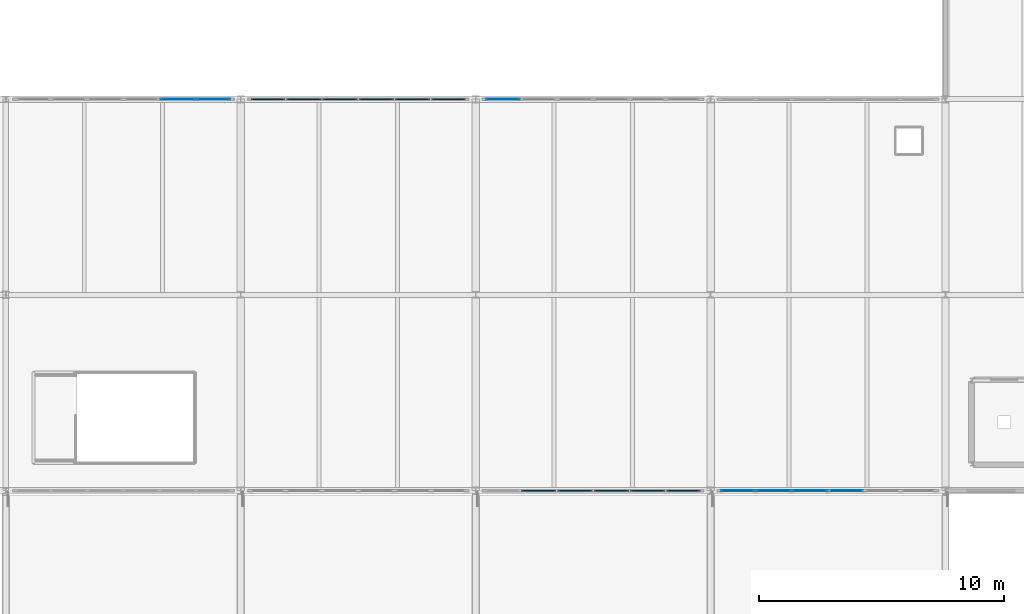
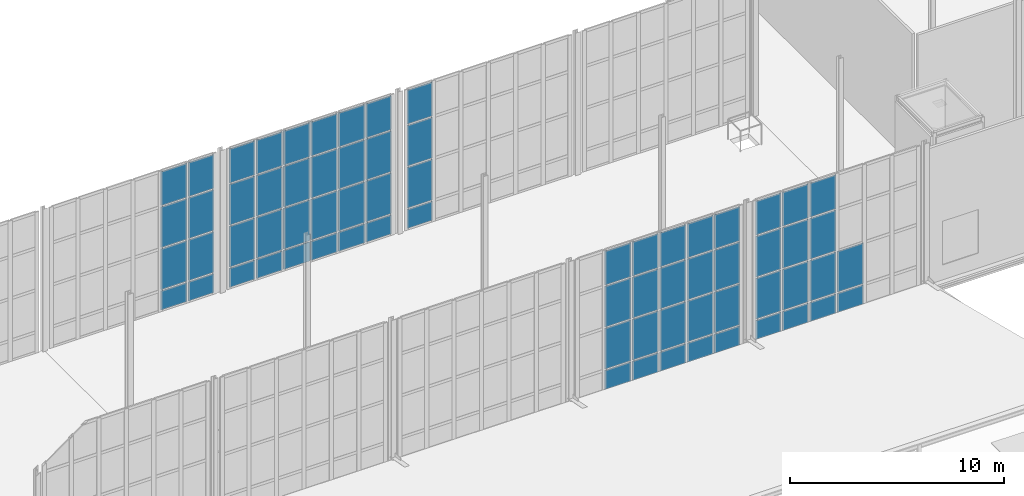
# One storey, part 53 of 73: 70 plates, 5 elements without a shape of their own.
"""IFC4 building model written with IfcOpenShell, lengths in metres."""

from ifc_helpers import new_model, si_unit, direction, frame, origin, origin_2d, place, context, subcontext, project, spatial, rectangle, extrude, material, layer, layer_set, type_object, element, aggregate, save


model = new_model("IFC4")

# Units and contexts
model_context = context("Model", 3, precision=1e-05, world=origin(), true_north=direction((0.0, 1.0)))
body_context = subcontext(model_context, "Body", "Model", "MODEL_VIEW")
ifc_project = project(units=[si_unit("LENGTHUNIT", "METRE"), si_unit("AREAUNIT", "SQUARE_METRE"), si_unit("VOLUMEUNIT", "CUBIC_METRE"), si_unit("PLANEANGLEUNIT", "RADIAN"), si_unit("MASSUNIT", "GRAM", prefix="KILO")], contexts=[model_context])

# Site, building, storey
site_placement = place(None, origin())
site = spatial("IfcSite", under=ifc_project, at=site_placement, CompositionType="ELEMENT")
building_placement = place(site_placement, origin())
building = spatial("IfcBuilding", under=site, at=building_placement, Name="Alderhovde Museum", CompositionType="ELEMENT")
storey_placement = place(building_placement, frame((0.0, 0.0, 17.39990234375)))
storey = spatial("IfcBuildingStorey", under=building, at=storey_placement, Name="L04", CompositionType="ELEMENT", Elevation=17.39990234375)

# Curtain wall, plates
ifc_material_1 = material(Name="Triple-Glazed Bronze-Anodised Curtain Wall", Category="glass")
ifc_layer_1 = layer(ifc_material_1, 0.219970703125)
ifc_layer_set_1 = layer_set([ifc_layer_1], Name="Triple-Glazed Bronze-Anodised Curtain Wall")
curtain_wall_type = type_object("IfcCurtainWallType", Name="CW-UNIT-890x805", PredefinedType="USERDEFINED", material=ifc_layer_set_1)
curtain_wall_1_placement = place(storey_placement, origin())
curtain_wall_1 = element("IfcCurtainWall", 1, at=curtain_wall_1_placement, inside=storey, type_object=curtain_wall_type, Name="L04 Unitised Curtain Wall 88", ObjectType="UNITISED CURTAIN WALL", PredefinedType="USERDEFINED")
ifc_material_2 = material(Name="Triple-Glazed Low-E Laminated Glass", Category="glass")
ifc_layer_2 = layer(ifc_material_2, 0.028076171875)
ifc_layer_set_2 = layer_set([ifc_layer_2], Name="Triple-Glazed Low-E Laminated Glass")
plate_type_1 = type_object("IfcPlateType", Name="CWP-GLAZ-28", PredefinedType="CURTAIN_PANEL", material=ifc_layer_set_2)
plate_1_placement = place(storey_placement, frame((106.71044921875, 72.0, 0.0751953125), z_axis=(0.0, 0.0, 1.0), x_axis=(1.0, 0.0, 0.0)))
plate_1 = element("IfcPlate", 2, at=plate_1_placement, type_object=plate_type_1, Name="CW21 panel 1.1", PredefinedType="CURTAIN_PANEL", context=body_context, shape_type="SweptSolid", body=[
    extrude(rectangle(XDim=1.370849609375, YDim=0.028076171875, at=origin_2d()), origin(), (0.0, 0.0, 1.0), 1.08740234375),
])
plate_2_placement = place(storey_placement, frame((106.71044921875, 72.0, 1.23779296875), z_axis=(0.0, 0.0, 1.0), x_axis=(1.0, 0.0, 0.0)))
plate_2 = element("IfcPlate", 3, at=plate_2_placement, type_object=plate_type_1, Name="CW21 panel 1.2", PredefinedType="CURTAIN_PANEL", context=body_context, shape_type="SweptSolid", body=[
    extrude(rectangle(XDim=1.370849609375, YDim=0.028076171875, at=origin_2d()), origin(), (0.0, 0.0, 1.0), 2.324951171875),
])
plate_3_placement = place(storey_placement, frame((106.71044921875, 72.0, 3.6376953125), z_axis=(0.0, 0.0, 1.0), x_axis=(1.0, 0.0, 0.0)))
plate_3 = element("IfcPlate", 4, at=plate_3_placement, type_object=plate_type_1, Name="CW21 panel 1.3", PredefinedType="CURTAIN_PANEL", context=body_context, shape_type="SweptSolid", body=[
    extrude(rectangle(XDim=1.370849609375, YDim=0.028076171875, at=origin_2d()), origin(), (0.0, 0.0, 1.0), 2.324951171875),
])
plate_4_placement = place(storey_placement, frame((106.71044921875, 72.0, 6.03759765625), z_axis=(0.0, 0.0, 1.0), x_axis=(1.0, 0.0, 0.0)))
plate_4 = element("IfcPlate", 5, at=plate_4_placement, type_object=plate_type_1, Name="CW21 panel 1.4", PredefinedType="CURTAIN_PANEL", context=body_context, shape_type="SweptSolid", body=[
    extrude(rectangle(XDim=1.370849609375, YDim=0.028076171875, at=origin_2d()), origin(), (0.0, 0.0, 1.0), 1.9375),
])
plate_5_placement = place(storey_placement, frame((108.175048828125, 72.0, 0.0751953125), z_axis=(0.0, 0.0, 1.0), x_axis=(1.0, 0.0, 0.0)))
plate_5 = element("IfcPlate", 6, at=plate_5_placement, type_object=plate_type_1, Name="CW21 panel 2.1", PredefinedType="CURTAIN_PANEL", context=body_context, shape_type="SweptSolid", body=[
    extrude(rectangle(XDim=1.408447265625, YDim=0.028076171875, at=origin_2d()), origin(), (0.0, 0.0, 1.0), 1.08740234375),
])
plate_6_placement = place(storey_placement, frame((108.175048828125, 72.0, 1.23779296875), z_axis=(0.0, 0.0, 1.0), x_axis=(1.0, 0.0, 0.0)))
plate_6 = element("IfcPlate", 7, at=plate_6_placement, type_object=plate_type_1, Name="CW21 panel 2.2", PredefinedType="CURTAIN_PANEL", context=body_context, shape_type="SweptSolid", body=[
    extrude(rectangle(XDim=1.408447265625, YDim=0.028076171875, at=origin_2d()), origin(), (0.0, 0.0, 1.0), 2.324951171875),
])
plate_7_placement = place(storey_placement, frame((108.175048828125, 72.0, 3.6376953125), z_axis=(0.0, 0.0, 1.0), x_axis=(1.0, 0.0, 0.0)))
plate_7 = element("IfcPlate", 8, at=plate_7_placement, type_object=plate_type_1, Name="CW21 panel 2.3", PredefinedType="CURTAIN_PANEL", context=body_context, shape_type="SweptSolid", body=[
    extrude(rectangle(XDim=1.408447265625, YDim=0.028076171875, at=origin_2d()), origin(), (0.0, 0.0, 1.0), 2.324951171875),
])
plate_8_placement = place(storey_placement, frame((108.175048828125, 72.0, 6.03759765625), z_axis=(0.0, 0.0, 1.0), x_axis=(1.0, 0.0, 0.0)))
plate_8 = element("IfcPlate", 9, at=plate_8_placement, type_object=plate_type_1, Name="CW21 panel 2.4", PredefinedType="CURTAIN_PANEL", context=body_context, shape_type="SweptSolid", body=[
    extrude(rectangle(XDim=1.408447265625, YDim=0.028076171875, at=origin_2d()), origin(), (0.0, 0.0, 1.0), 1.9375),
])
plate_9_placement = place(storey_placement, frame((109.658447265625, 72.0, 0.0751953125), z_axis=(0.0, 0.0, 1.0), x_axis=(1.0, 0.0, 0.0)))
plate_9 = element("IfcPlate", 10, at=plate_9_placement, type_object=plate_type_1, Name="CW21 panel 3.1", PredefinedType="CURTAIN_PANEL", context=body_context, shape_type="SweptSolid", body=[
    extrude(rectangle(XDim=1.408447265625, YDim=0.028076171875, at=origin_2d()), origin(), (0.0, 0.0, 1.0), 1.08740234375),
])
plate_10_placement = place(storey_placement, frame((109.658447265625, 72.0, 1.23779296875), z_axis=(0.0, 0.0, 1.0), x_axis=(1.0, 0.0, 0.0)))
plate_10 = element("IfcPlate", 11, at=plate_10_placement, type_object=plate_type_1, Name="CW21 panel 3.2", PredefinedType="CURTAIN_PANEL", context=body_context, shape_type="SweptSolid", body=[
    extrude(rectangle(XDim=1.408447265625, YDim=0.028076171875, at=origin_2d()), origin(), (0.0, 0.0, 1.0), 2.324951171875),
])
plate_11_placement = place(storey_placement, frame((109.658447265625, 72.0, 3.6376953125), z_axis=(0.0, 0.0, 1.0), x_axis=(1.0, 0.0, 0.0)))
plate_11 = element("IfcPlate", 12, at=plate_11_placement, type_object=plate_type_1, Name="CW21 panel 3.3", PredefinedType="CURTAIN_PANEL", context=body_context, shape_type="SweptSolid", body=[
    extrude(rectangle(XDim=1.408447265625, YDim=0.028076171875, at=origin_2d()), origin(), (0.0, 0.0, 1.0), 2.324951171875),
])
plate_12_placement = place(storey_placement, frame((109.658447265625, 72.0, 6.03759765625), z_axis=(0.0, 0.0, 1.0), x_axis=(1.0, 0.0, 0.0)))
plate_12 = element("IfcPlate", 13, at=plate_12_placement, type_object=plate_type_1, Name="CW21 panel 3.4", PredefinedType="CURTAIN_PANEL", context=body_context, shape_type="SweptSolid", body=[
    extrude(rectangle(XDim=1.408447265625, YDim=0.028076171875, at=origin_2d()), origin(), (0.0, 0.0, 1.0), 1.9375),
])
plate_13_placement = place(storey_placement, frame((111.1416015625, 72.0, 0.0751953125), z_axis=(0.0, 0.0, 1.0), x_axis=(1.0, 0.0, 0.0)))
plate_13 = element("IfcPlate", 14, at=plate_13_placement, type_object=plate_type_1, Name="CW21 panel 4.1", PredefinedType="CURTAIN_PANEL", context=body_context, shape_type="SweptSolid", body=[
    extrude(rectangle(XDim=1.408447265625, YDim=0.028076171875, at=origin_2d()), origin(), (0.0, 0.0, 1.0), 1.08740234375),
])
plate_14_placement = place(storey_placement, frame((111.1416015625, 72.0, 1.23779296875), z_axis=(0.0, 0.0, 1.0), x_axis=(1.0, 0.0, 0.0)))
plate_14 = element("IfcPlate", 15, at=plate_14_placement, type_object=plate_type_1, Name="CW21 panel 4.2", PredefinedType="CURTAIN_PANEL", context=body_context, shape_type="SweptSolid", body=[
    extrude(rectangle(XDim=1.408447265625, YDim=0.028076171875, at=origin_2d()), origin(), (0.0, 0.0, 1.0), 2.324951171875),
])
aggregate(curtain_wall_1, [plate_1, plate_2, plate_3, plate_4, plate_5, plate_6, plate_7, plate_8, plate_9, plate_10, plate_11, plate_12, plate_13, plate_14])

curtain_wall_2_placement = place(storey_placement, origin())
curtain_wall_2 = element("IfcCurtainWall", 16, at=curtain_wall_2_placement, inside=storey, type_object=curtain_wall_type, Name="L04 Unitised Curtain Wall 81", ObjectType="UNITISED CURTAIN WALL", PredefinedType="USERDEFINED")
ifc_material_3 = material(Name="Triple-Glazed Low-E Laminated Glass", Category="glass")
ifc_layer_3 = layer(ifc_material_3, 0.035888671875)
ifc_layer_set_3 = layer_set([ifc_layer_3], Name="Triple-Glazed Low-E Laminated Glass")
plate_type_2 = type_object("IfcPlateType", Name="CWP-GLAZ-36", PredefinedType="CURTAIN_PANEL", material=ifc_layer_set_3)
plate_15_placement = place(storey_placement, frame((83.824951171875, 88.0, 0.0751953125), z_axis=(0.0, 0.0, 1.0), x_axis=(1.0, 0.0, 0.0)))
plate_15 = element("IfcPlate", 17, at=plate_15_placement, type_object=plate_type_2, Name="CW21 panel 5.1", PredefinedType="CURTAIN_PANEL", context=body_context, shape_type="SweptSolid", body=[
    extrude(rectangle(XDim=1.408447265625, YDim=0.035888671875, at=origin_2d()), origin(), (0.0, 0.0, 1.0), 1.08740234375),
])
plate_16_placement = place(storey_placement, frame((83.824951171875, 88.0, 1.23779296875), z_axis=(0.0, 0.0, 1.0), x_axis=(1.0, 0.0, 0.0)))
plate_16 = element("IfcPlate", 18, at=plate_16_placement, type_object=plate_type_2, Name="CW21 panel 5.2", PredefinedType="CURTAIN_PANEL", context=body_context, shape_type="SweptSolid", body=[
    extrude(rectangle(XDim=1.408447265625, YDim=0.035888671875, at=origin_2d()), origin(), (0.0, 0.0, 1.0), 2.324951171875),
])
plate_17_placement = place(storey_placement, frame((83.824951171875, 88.0, 3.6376953125), z_axis=(0.0, 0.0, 1.0), x_axis=(1.0, 0.0, 0.0)))
plate_17 = element("IfcPlate", 19, at=plate_17_placement, type_object=plate_type_2, Name="CW21 panel 5.3", PredefinedType="CURTAIN_PANEL", context=body_context, shape_type="SweptSolid", body=[
    extrude(rectangle(XDim=1.408447265625, YDim=0.035888671875, at=origin_2d()), origin(), (0.0, 0.0, 1.0), 2.324951171875),
])
plate_18_placement = place(storey_placement, frame((83.824951171875, 88.0, 6.03759765625), z_axis=(0.0, 0.0, 1.0), x_axis=(1.0, 0.0, 0.0)))
plate_18 = element("IfcPlate", 20, at=plate_18_placement, type_object=plate_type_2, Name="CW21 panel 5.4", PredefinedType="CURTAIN_PANEL", context=body_context, shape_type="SweptSolid", body=[
    extrude(rectangle(XDim=1.408447265625, YDim=0.035888671875, at=origin_2d()), origin(), (0.0, 0.0, 1.0), 1.9375),
])
plate_19_placement = place(storey_placement, frame((85.28955078125, 88.0, 0.0751953125), z_axis=(0.0, 0.0, 1.0), x_axis=(1.0, 0.0, 0.0)))
plate_19 = element("IfcPlate", 21, at=plate_19_placement, type_object=plate_type_2, Name="CW21 panel 6.1", PredefinedType="CURTAIN_PANEL", context=body_context, shape_type="SweptSolid", body=[
    extrude(rectangle(XDim=1.370849609375, YDim=0.035888671875, at=origin_2d()), origin(), (0.0, 0.0, 1.0), 1.08740234375),
])
plate_20_placement = place(storey_placement, frame((85.28955078125, 88.0, 1.23779296875), z_axis=(0.0, 0.0, 1.0), x_axis=(1.0, 0.0, 0.0)))
plate_20 = element("IfcPlate", 22, at=plate_20_placement, type_object=plate_type_2, Name="CW21 panel 6.2", PredefinedType="CURTAIN_PANEL", context=body_context, shape_type="SweptSolid", body=[
    extrude(rectangle(XDim=1.370849609375, YDim=0.035888671875, at=origin_2d()), origin(), (0.0, 0.0, 1.0), 2.324951171875),
])
plate_21_placement = place(storey_placement, frame((85.28955078125, 88.0, 3.6376953125), z_axis=(0.0, 0.0, 1.0), x_axis=(1.0, 0.0, 0.0)))
plate_21 = element("IfcPlate", 23, at=plate_21_placement, type_object=plate_type_2, Name="CW21 panel 6.3", PredefinedType="CURTAIN_PANEL", context=body_context, shape_type="SweptSolid", body=[
    extrude(rectangle(XDim=1.370849609375, YDim=0.035888671875, at=origin_2d()), origin(), (0.0, 0.0, 1.0), 2.324951171875),
])
plate_22_placement = place(storey_placement, frame((85.28955078125, 88.0, 6.03759765625), z_axis=(0.0, 0.0, 1.0), x_axis=(1.0, 0.0, 0.0)))
plate_22 = element("IfcPlate", 24, at=plate_22_placement, type_object=plate_type_2, Name="CW21 panel 6.4", PredefinedType="CURTAIN_PANEL", context=body_context, shape_type="SweptSolid", body=[
    extrude(rectangle(XDim=1.370849609375, YDim=0.035888671875, at=origin_2d()), origin(), (0.0, 0.0, 1.0), 1.9375),
])
aggregate(curtain_wall_2, [plate_15, plate_16, plate_17, plate_18, plate_19, plate_20, plate_21, plate_22])

curtain_wall_3_placement = place(storey_placement, origin())
curtain_wall_3 = element("IfcCurtainWall", 25, at=curtain_wall_3_placement, inside=storey, type_object=curtain_wall_type, Name="L04 Unitised Curtain Wall 85", ObjectType="UNITISED CURTAIN WALL", PredefinedType="USERDEFINED")
plate_23_placement = place(storey_placement, frame((97.1103515625, 88.0, 0.0751953125), z_axis=(0.0, 0.0, 1.0), x_axis=(1.0, 0.0, 0.0)))
plate_23 = element("IfcPlate", 26, at=plate_23_placement, type_object=plate_type_2, Name="CW21 panel 1.1", PredefinedType="CURTAIN_PANEL", context=body_context, shape_type="SweptSolid", body=[
    extrude(rectangle(XDim=1.370849609375, YDim=0.035888671875, at=origin_2d()), origin(), (0.0, 0.0, 1.0), 1.08740234375),
])
plate_24_placement = place(storey_placement, frame((97.1103515625, 88.0, 1.23779296875), z_axis=(0.0, 0.0, 1.0), x_axis=(1.0, 0.0, 0.0)))
plate_24 = element("IfcPlate", 27, at=plate_24_placement, type_object=plate_type_2, Name="CW21 panel 1.2", PredefinedType="CURTAIN_PANEL", context=body_context, shape_type="SweptSolid", body=[
    extrude(rectangle(XDim=1.370849609375, YDim=0.035888671875, at=origin_2d()), origin(), (0.0, 0.0, 1.0), 2.324951171875),
])
plate_25_placement = place(storey_placement, frame((97.1103515625, 88.0, 3.6376953125), z_axis=(0.0, 0.0, 1.0), x_axis=(1.0, 0.0, 0.0)))
plate_25 = element("IfcPlate", 28, at=plate_25_placement, type_object=plate_type_2, Name="CW21 panel 1.3", PredefinedType="CURTAIN_PANEL", context=body_context, shape_type="SweptSolid", body=[
    extrude(rectangle(XDim=1.370849609375, YDim=0.035888671875, at=origin_2d()), origin(), (0.0, 0.0, 1.0), 2.324951171875),
])
plate_26_placement = place(storey_placement, frame((97.1103515625, 88.0, 6.03759765625), z_axis=(0.0, 0.0, 1.0), x_axis=(1.0, 0.0, 0.0)))
plate_26 = element("IfcPlate", 29, at=plate_26_placement, type_object=plate_type_2, Name="CW21 panel 1.4", PredefinedType="CURTAIN_PANEL", context=body_context, shape_type="SweptSolid", body=[
    extrude(rectangle(XDim=1.370849609375, YDim=0.035888671875, at=origin_2d()), origin(), (0.0, 0.0, 1.0), 1.9375),
])
aggregate(curtain_wall_3, [plate_23, plate_24, plate_25, plate_26])

curtain_wall_4_placement = place(storey_placement, origin())
curtain_wall_4 = element("IfcCurtainWall", 30, at=curtain_wall_4_placement, inside=storey, type_object=curtain_wall_type, Name="L04 Unitised Curtain Wall 86", ObjectType="UNITISED CURTAIN WALL", PredefinedType="USERDEFINED")
ifc_material_4 = material(Name="Triple-Glazed Low-E Laminated Glass", Category="glass")
ifc_layer_4 = layer(ifc_material_4, 0.0439453125)
ifc_layer_set_4 = layer_set([ifc_layer_4], Name="Triple-Glazed Low-E Laminated Glass")
plate_type_3 = type_object("IfcPlateType", Name="CWP-GLAZ-44", PredefinedType="CURTAIN_PANEL", material=ifc_layer_set_4)
plate_27_placement = place(storey_placement, frame((98.574951171875, 72.0, 0.0751953125), z_axis=(0.0, 0.0, 1.0), x_axis=(1.0, 0.0, 0.0)))
plate_27 = element("IfcPlate", 31, at=plate_27_placement, type_object=plate_type_3, Name="CW21 panel 2.1", PredefinedType="CURTAIN_PANEL", context=body_context, shape_type="SweptSolid", body=[
    extrude(rectangle(XDim=1.408447265625, YDim=0.0439453125, at=origin_2d()), origin(), (0.0, 0.0, 1.0), 1.08740234375),
])
plate_28_placement = place(storey_placement, frame((98.574951171875, 72.0, 1.23779296875), z_axis=(0.0, 0.0, 1.0), x_axis=(1.0, 0.0, 0.0)))
plate_28 = element("IfcPlate", 32, at=plate_28_placement, type_object=plate_type_3, Name="CW21 panel 2.2", PredefinedType="CURTAIN_PANEL", context=body_context, shape_type="SweptSolid", body=[
    extrude(rectangle(XDim=1.408447265625, YDim=0.0439453125, at=origin_2d()), origin(), (0.0, 0.0, 1.0), 2.324951171875),
])
plate_29_placement = place(storey_placement, frame((98.574951171875, 72.0, 3.6376953125), z_axis=(0.0, 0.0, 1.0), x_axis=(1.0, 0.0, 0.0)))
plate_29 = element("IfcPlate", 33, at=plate_29_placement, type_object=plate_type_3, Name="CW21 panel 2.3", PredefinedType="CURTAIN_PANEL", context=body_context, shape_type="SweptSolid", body=[
    extrude(rectangle(XDim=1.408447265625, YDim=0.0439453125, at=origin_2d()), origin(), (0.0, 0.0, 1.0), 2.324951171875),
])
plate_30_placement = place(storey_placement, frame((98.574951171875, 72.0, 6.03759765625), z_axis=(0.0, 0.0, 1.0), x_axis=(1.0, 0.0, 0.0)))
plate_30 = element("IfcPlate", 34, at=plate_30_placement, type_object=plate_type_3, Name="CW21 panel 2.4", PredefinedType="CURTAIN_PANEL", context=body_context, shape_type="SweptSolid", body=[
    extrude(rectangle(XDim=1.408447265625, YDim=0.0439453125, at=origin_2d()), origin(), (0.0, 0.0, 1.0), 1.9375),
])
plate_31_placement = place(storey_placement, frame((100.058349609375, 72.0, 0.0751953125), z_axis=(0.0, 0.0, 1.0), x_axis=(1.0, 0.0, 0.0)))
plate_31 = element("IfcPlate", 35, at=plate_31_placement, type_object=plate_type_3, Name="CW21 panel 3.1", PredefinedType="CURTAIN_PANEL", context=body_context, shape_type="SweptSolid", body=[
    extrude(rectangle(XDim=1.408447265625, YDim=0.0439453125, at=origin_2d()), origin(), (0.0, 0.0, 1.0), 1.08740234375),
])
plate_32_placement = place(storey_placement, frame((100.058349609375, 72.0, 1.23779296875), z_axis=(0.0, 0.0, 1.0), x_axis=(1.0, 0.0, 0.0)))
plate_32 = element("IfcPlate", 36, at=plate_32_placement, type_object=plate_type_3, Name="CW21 panel 3.2", PredefinedType="CURTAIN_PANEL", context=body_context, shape_type="SweptSolid", body=[
    extrude(rectangle(XDim=1.408447265625, YDim=0.0439453125, at=origin_2d()), origin(), (0.0, 0.0, 1.0), 2.324951171875),
])
plate_33_placement = place(storey_placement, frame((100.058349609375, 72.0, 3.6376953125), z_axis=(0.0, 0.0, 1.0), x_axis=(1.0, 0.0, 0.0)))
plate_33 = element("IfcPlate", 37, at=plate_33_placement, type_object=plate_type_3, Name="CW21 panel 3.3", PredefinedType="CURTAIN_PANEL", context=body_context, shape_type="SweptSolid", body=[
    extrude(rectangle(XDim=1.408447265625, YDim=0.0439453125, at=origin_2d()), origin(), (0.0, 0.0, 1.0), 2.324951171875),
])
plate_34_placement = place(storey_placement, frame((100.058349609375, 72.0, 6.03759765625), z_axis=(0.0, 0.0, 1.0), x_axis=(1.0, 0.0, 0.0)))
plate_34 = element("IfcPlate", 38, at=plate_34_placement, type_object=plate_type_3, Name="CW21 panel 3.4", PredefinedType="CURTAIN_PANEL", context=body_context, shape_type="SweptSolid", body=[
    extrude(rectangle(XDim=1.408447265625, YDim=0.0439453125, at=origin_2d()), origin(), (0.0, 0.0, 1.0), 1.9375),
])
plate_35_placement = place(storey_placement, frame((101.541748046875, 72.0, 0.0751953125), z_axis=(0.0, 0.0, 1.0), x_axis=(1.0, 0.0, 0.0)))
plate_35 = element("IfcPlate", 39, at=plate_35_placement, type_object=plate_type_3, Name="CW21 panel 4.1", PredefinedType="CURTAIN_PANEL", context=body_context, shape_type="SweptSolid", body=[
    extrude(rectangle(XDim=1.408447265625, YDim=0.0439453125, at=origin_2d()), origin(), (0.0, 0.0, 1.0), 1.08740234375),
])
plate_36_placement = place(storey_placement, frame((101.541748046875, 72.0, 1.23779296875), z_axis=(0.0, 0.0, 1.0), x_axis=(1.0, 0.0, 0.0)))
plate_36 = element("IfcPlate", 40, at=plate_36_placement, type_object=plate_type_3, Name="CW21 panel 4.2", PredefinedType="CURTAIN_PANEL", context=body_context, shape_type="SweptSolid", body=[
    extrude(rectangle(XDim=1.408447265625, YDim=0.0439453125, at=origin_2d()), origin(), (0.0, 0.0, 1.0), 2.324951171875),
])
plate_37_placement = place(storey_placement, frame((101.541748046875, 72.0, 3.6376953125), z_axis=(0.0, 0.0, 1.0), x_axis=(1.0, 0.0, 0.0)))
plate_37 = element("IfcPlate", 41, at=plate_37_placement, type_object=plate_type_3, Name="CW21 panel 4.3", PredefinedType="CURTAIN_PANEL", context=body_context, shape_type="SweptSolid", body=[
    extrude(rectangle(XDim=1.408447265625, YDim=0.0439453125, at=origin_2d()), origin(), (0.0, 0.0, 1.0), 2.324951171875),
])
plate_38_placement = place(storey_placement, frame((101.541748046875, 72.0, 6.03759765625), z_axis=(0.0, 0.0, 1.0), x_axis=(1.0, 0.0, 0.0)))
plate_38 = element("IfcPlate", 42, at=plate_38_placement, type_object=plate_type_3, Name="CW21 panel 4.4", PredefinedType="CURTAIN_PANEL", context=body_context, shape_type="SweptSolid", body=[
    extrude(rectangle(XDim=1.408447265625, YDim=0.0439453125, at=origin_2d()), origin(), (0.0, 0.0, 1.0), 1.9375),
])
plate_39_placement = place(storey_placement, frame((103.02490234375, 72.0, 0.0751953125), z_axis=(0.0, 0.0, 1.0), x_axis=(1.0, 0.0, 0.0)))
plate_39 = element("IfcPlate", 43, at=plate_39_placement, type_object=plate_type_3, Name="CW21 panel 5.1", PredefinedType="CURTAIN_PANEL", context=body_context, shape_type="SweptSolid", body=[
    extrude(rectangle(XDim=1.408447265625, YDim=0.0439453125, at=origin_2d()), origin(), (0.0, 0.0, 1.0), 1.08740234375),
])
plate_40_placement = place(storey_placement, frame((103.02490234375, 72.0, 1.23779296875), z_axis=(0.0, 0.0, 1.0), x_axis=(1.0, 0.0, 0.0)))
plate_40 = element("IfcPlate", 44, at=plate_40_placement, type_object=plate_type_3, Name="CW21 panel 5.2", PredefinedType="CURTAIN_PANEL", context=body_context, shape_type="SweptSolid", body=[
    extrude(rectangle(XDim=1.408447265625, YDim=0.0439453125, at=origin_2d()), origin(), (0.0, 0.0, 1.0), 2.324951171875),
])
plate_41_placement = place(storey_placement, frame((103.02490234375, 72.0, 3.6376953125), z_axis=(0.0, 0.0, 1.0), x_axis=(1.0, 0.0, 0.0)))
plate_41 = element("IfcPlate", 45, at=plate_41_placement, type_object=plate_type_3, Name="CW21 panel 5.3", PredefinedType="CURTAIN_PANEL", context=body_context, shape_type="SweptSolid", body=[
    extrude(rectangle(XDim=1.408447265625, YDim=0.0439453125, at=origin_2d()), origin(), (0.0, 0.0, 1.0), 2.324951171875),
])
plate_42_placement = place(storey_placement, frame((103.02490234375, 72.0, 6.03759765625), z_axis=(0.0, 0.0, 1.0), x_axis=(1.0, 0.0, 0.0)))
plate_42 = element("IfcPlate", 46, at=plate_42_placement, type_object=plate_type_3, Name="CW21 panel 5.4", PredefinedType="CURTAIN_PANEL", context=body_context, shape_type="SweptSolid", body=[
    extrude(rectangle(XDim=1.408447265625, YDim=0.0439453125, at=origin_2d()), origin(), (0.0, 0.0, 1.0), 1.9375),
])
plate_43_placement = place(storey_placement, frame((104.489501953125, 72.0, 0.0751953125), z_axis=(0.0, 0.0, 1.0), x_axis=(1.0, 0.0, 0.0)))
plate_43 = element("IfcPlate", 47, at=plate_43_placement, type_object=plate_type_3, Name="CW21 panel 6.1", PredefinedType="CURTAIN_PANEL", context=body_context, shape_type="SweptSolid", body=[
    extrude(rectangle(XDim=1.370849609375, YDim=0.0439453125, at=origin_2d()), origin(), (0.0, 0.0, 1.0), 1.08740234375),
])
plate_44_placement = place(storey_placement, frame((104.489501953125, 72.0, 1.23779296875), z_axis=(0.0, 0.0, 1.0), x_axis=(1.0, 0.0, 0.0)))
plate_44 = element("IfcPlate", 48, at=plate_44_placement, type_object=plate_type_3, Name="CW21 panel 6.2", PredefinedType="CURTAIN_PANEL", context=body_context, shape_type="SweptSolid", body=[
    extrude(rectangle(XDim=1.370849609375, YDim=0.0439453125, at=origin_2d()), origin(), (0.0, 0.0, 1.0), 2.324951171875),
])
plate_45_placement = place(storey_placement, frame((104.489501953125, 72.0, 3.6376953125), z_axis=(0.0, 0.0, 1.0), x_axis=(1.0, 0.0, 0.0)))
plate_45 = element("IfcPlate", 49, at=plate_45_placement, type_object=plate_type_3, Name="CW21 panel 6.3", PredefinedType="CURTAIN_PANEL", context=body_context, shape_type="SweptSolid", body=[
    extrude(rectangle(XDim=1.370849609375, YDim=0.0439453125, at=origin_2d()), origin(), (0.0, 0.0, 1.0), 2.324951171875),
])
plate_46_placement = place(storey_placement, frame((104.489501953125, 72.0, 6.03759765625), z_axis=(0.0, 0.0, 1.0), x_axis=(1.0, 0.0, 0.0)))
plate_46 = element("IfcPlate", 50, at=plate_46_placement, type_object=plate_type_3, Name="CW21 panel 6.4", PredefinedType="CURTAIN_PANEL", context=body_context, shape_type="SweptSolid", body=[
    extrude(rectangle(XDim=1.370849609375, YDim=0.0439453125, at=origin_2d()), origin(), (0.0, 0.0, 1.0), 1.9375),
])
aggregate(curtain_wall_4, [plate_27, plate_28, plate_29, plate_30, plate_31, plate_32, plate_33, plate_34, plate_35, plate_36, plate_37, plate_38, plate_39, plate_40, plate_41, plate_42, plate_43, plate_44, plate_45, plate_46])

curtain_wall_5_placement = place(storey_placement, origin())
curtain_wall_5 = element("IfcCurtainWall", 51, at=curtain_wall_5_placement, inside=storey, type_object=curtain_wall_type, Name="L04 Unitised Curtain Wall 83", ObjectType="UNITISED CURTAIN WALL", PredefinedType="USERDEFINED")
ifc_material_5 = material(Name="Triple-Glazed Low-E Laminated Glass", Category="glass")
ifc_layer_5 = layer(ifc_material_5, 0.052001953125)
ifc_layer_set_5 = layer_set([ifc_layer_5], Name="Triple-Glazed Low-E Laminated Glass")
plate_type_4 = type_object("IfcPlateType", Name="CWP-GLAZ-52", PredefinedType="CURTAIN_PANEL", material=ifc_layer_set_5)
plate_47_placement = place(storey_placement, frame((87.510498046875, 88.0, 0.0751953125), z_axis=(0.0, 0.0, 1.0), x_axis=(1.0, 0.0, 0.0)))
plate_47 = element("IfcPlate", 52, at=plate_47_placement, type_object=plate_type_4, Name="CW21 panel 1.1", PredefinedType="CURTAIN_PANEL", context=body_context, shape_type="SweptSolid", body=[
    extrude(rectangle(XDim=1.370849609375, YDim=0.052001953125, at=origin_2d()), origin(), (0.0, 0.0, 1.0), 1.08740234375),
])
plate_48_placement = place(storey_placement, frame((87.510498046875, 88.0, 1.23779296875), z_axis=(0.0, 0.0, 1.0), x_axis=(1.0, 0.0, 0.0)))
plate_48 = element("IfcPlate", 53, at=plate_48_placement, type_object=plate_type_4, Name="CW21 panel 1.2", PredefinedType="CURTAIN_PANEL", context=body_context, shape_type="SweptSolid", body=[
    extrude(rectangle(XDim=1.370849609375, YDim=0.052001953125, at=origin_2d()), origin(), (0.0, 0.0, 1.0), 2.324951171875),
])
plate_49_placement = place(storey_placement, frame((87.510498046875, 88.0, 3.6376953125), z_axis=(0.0, 0.0, 1.0), x_axis=(1.0, 0.0, 0.0)))
plate_49 = element("IfcPlate", 54, at=plate_49_placement, type_object=plate_type_4, Name="CW21 panel 1.3", PredefinedType="CURTAIN_PANEL", context=body_context, shape_type="SweptSolid", body=[
    extrude(rectangle(XDim=1.370849609375, YDim=0.052001953125, at=origin_2d()), origin(), (0.0, 0.0, 1.0), 2.324951171875),
])
plate_50_placement = place(storey_placement, frame((87.510498046875, 88.0, 6.03759765625), z_axis=(0.0, 0.0, 1.0), x_axis=(1.0, 0.0, 0.0)))
plate_50 = element("IfcPlate", 55, at=plate_50_placement, type_object=plate_type_4, Name="CW21 panel 1.4", PredefinedType="CURTAIN_PANEL", context=body_context, shape_type="SweptSolid", body=[
    extrude(rectangle(XDim=1.370849609375, YDim=0.052001953125, at=origin_2d()), origin(), (0.0, 0.0, 1.0), 1.9375),
])
plate_51_placement = place(storey_placement, frame((88.97509765625, 88.0, 0.0751953125), z_axis=(0.0, 0.0, 1.0), x_axis=(1.0, 0.0, 0.0)))
plate_51 = element("IfcPlate", 56, at=plate_51_placement, type_object=plate_type_4, Name="CW21 panel 2.1", PredefinedType="CURTAIN_PANEL", context=body_context, shape_type="SweptSolid", body=[
    extrude(rectangle(XDim=1.408447265625, YDim=0.052001953125, at=origin_2d()), origin(), (0.0, 0.0, 1.0), 1.08740234375),
])
plate_52_placement = place(storey_placement, frame((88.97509765625, 88.0, 1.23779296875), z_axis=(0.0, 0.0, 1.0), x_axis=(1.0, 0.0, 0.0)))
plate_52 = element("IfcPlate", 57, at=plate_52_placement, type_object=plate_type_4, Name="CW21 panel 2.2", PredefinedType="CURTAIN_PANEL", context=body_context, shape_type="SweptSolid", body=[
    extrude(rectangle(XDim=1.408447265625, YDim=0.052001953125, at=origin_2d()), origin(), (0.0, 0.0, 1.0), 2.324951171875),
])
plate_53_placement = place(storey_placement, frame((88.97509765625, 88.0, 3.6376953125), z_axis=(0.0, 0.0, 1.0), x_axis=(1.0, 0.0, 0.0)))
plate_53 = element("IfcPlate", 58, at=plate_53_placement, type_object=plate_type_4, Name="CW21 panel 2.3", PredefinedType="CURTAIN_PANEL", context=body_context, shape_type="SweptSolid", body=[
    extrude(rectangle(XDim=1.408447265625, YDim=0.052001953125, at=origin_2d()), origin(), (0.0, 0.0, 1.0), 2.324951171875),
])
plate_54_placement = place(storey_placement, frame((88.97509765625, 88.0, 6.03759765625), z_axis=(0.0, 0.0, 1.0), x_axis=(1.0, 0.0, 0.0)))
plate_54 = element("IfcPlate", 59, at=plate_54_placement, type_object=plate_type_4, Name="CW21 panel 2.4", PredefinedType="CURTAIN_PANEL", context=body_context, shape_type="SweptSolid", body=[
    extrude(rectangle(XDim=1.408447265625, YDim=0.052001953125, at=origin_2d()), origin(), (0.0, 0.0, 1.0), 1.9375),
])
plate_55_placement = place(storey_placement, frame((90.458251953125, 88.0, 0.0751953125), z_axis=(0.0, 0.0, 1.0), x_axis=(1.0, 0.0, 0.0)))
plate_55 = element("IfcPlate", 60, at=plate_55_placement, type_object=plate_type_4, Name="CW21 panel 3.1", PredefinedType="CURTAIN_PANEL", context=body_context, shape_type="SweptSolid", body=[
    extrude(rectangle(XDim=1.408447265625, YDim=0.052001953125, at=origin_2d()), origin(), (0.0, 0.0, 1.0), 1.08740234375),
])
plate_56_placement = place(storey_placement, frame((90.458251953125, 88.0, 1.23779296875), z_axis=(0.0, 0.0, 1.0), x_axis=(1.0, 0.0, 0.0)))
plate_56 = element("IfcPlate", 61, at=plate_56_placement, type_object=plate_type_4, Name="CW21 panel 3.2", PredefinedType="CURTAIN_PANEL", context=body_context, shape_type="SweptSolid", body=[
    extrude(rectangle(XDim=1.408447265625, YDim=0.052001953125, at=origin_2d()), origin(), (0.0, 0.0, 1.0), 2.324951171875),
])
plate_57_placement = place(storey_placement, frame((90.458251953125, 88.0, 3.6376953125), z_axis=(0.0, 0.0, 1.0), x_axis=(1.0, 0.0, 0.0)))
plate_57 = element("IfcPlate", 62, at=plate_57_placement, type_object=plate_type_4, Name="CW21 panel 3.3", PredefinedType="CURTAIN_PANEL", context=body_context, shape_type="SweptSolid", body=[
    extrude(rectangle(XDim=1.408447265625, YDim=0.052001953125, at=origin_2d()), origin(), (0.0, 0.0, 1.0), 2.324951171875),
])
plate_58_placement = place(storey_placement, frame((90.458251953125, 88.0, 6.03759765625), z_axis=(0.0, 0.0, 1.0), x_axis=(1.0, 0.0, 0.0)))
plate_58 = element("IfcPlate", 63, at=plate_58_placement, type_object=plate_type_4, Name="CW21 panel 3.4", PredefinedType="CURTAIN_PANEL", context=body_context, shape_type="SweptSolid", body=[
    extrude(rectangle(XDim=1.408447265625, YDim=0.052001953125, at=origin_2d()), origin(), (0.0, 0.0, 1.0), 1.9375),
])
plate_59_placement = place(storey_placement, frame((91.941650390625, 88.0, 0.0751953125), z_axis=(0.0, 0.0, 1.0), x_axis=(1.0, 0.0, 0.0)))
plate_59 = element("IfcPlate", 64, at=plate_59_placement, type_object=plate_type_4, Name="CW21 panel 4.1", PredefinedType="CURTAIN_PANEL", context=body_context, shape_type="SweptSolid", body=[
    extrude(rectangle(XDim=1.408447265625, YDim=0.052001953125, at=origin_2d()), origin(), (0.0, 0.0, 1.0), 1.08740234375),
])
plate_60_placement = place(storey_placement, frame((91.941650390625, 88.0, 1.23779296875), z_axis=(0.0, 0.0, 1.0), x_axis=(1.0, 0.0, 0.0)))
plate_60 = element("IfcPlate", 65, at=plate_60_placement, type_object=plate_type_4, Name="CW21 panel 4.2", PredefinedType="CURTAIN_PANEL", context=body_context, shape_type="SweptSolid", body=[
    extrude(rectangle(XDim=1.408447265625, YDim=0.052001953125, at=origin_2d()), origin(), (0.0, 0.0, 1.0), 2.324951171875),
])
plate_61_placement = place(storey_placement, frame((91.941650390625, 88.0, 3.6376953125), z_axis=(0.0, 0.0, 1.0), x_axis=(1.0, 0.0, 0.0)))
plate_61 = element("IfcPlate", 66, at=plate_61_placement, type_object=plate_type_4, Name="CW21 panel 4.3", PredefinedType="CURTAIN_PANEL", context=body_context, shape_type="SweptSolid", body=[
    extrude(rectangle(XDim=1.408447265625, YDim=0.052001953125, at=origin_2d()), origin(), (0.0, 0.0, 1.0), 2.324951171875),
])
plate_62_placement = place(storey_placement, frame((91.941650390625, 88.0, 6.03759765625), z_axis=(0.0, 0.0, 1.0), x_axis=(1.0, 0.0, 0.0)))
plate_62 = element("IfcPlate", 67, at=plate_62_placement, type_object=plate_type_4, Name="CW21 panel 4.4", PredefinedType="CURTAIN_PANEL", context=body_context, shape_type="SweptSolid", body=[
    extrude(rectangle(XDim=1.408447265625, YDim=0.052001953125, at=origin_2d()), origin(), (0.0, 0.0, 1.0), 1.9375),
])
plate_63_placement = place(storey_placement, frame((93.425048828125, 88.0, 0.0751953125), z_axis=(0.0, 0.0, 1.0), x_axis=(1.0, 0.0, 0.0)))
plate_63 = element("IfcPlate", 68, at=plate_63_placement, type_object=plate_type_4, Name="CW21 panel 5.1", PredefinedType="CURTAIN_PANEL", context=body_context, shape_type="SweptSolid", body=[
    extrude(rectangle(XDim=1.408447265625, YDim=0.052001953125, at=origin_2d()), origin(), (0.0, 0.0, 1.0), 1.08740234375),
])
plate_64_placement = place(storey_placement, frame((93.425048828125, 88.0, 1.23779296875), z_axis=(0.0, 0.0, 1.0), x_axis=(1.0, 0.0, 0.0)))
plate_64 = element("IfcPlate", 69, at=plate_64_placement, type_object=plate_type_4, Name="CW21 panel 5.2", PredefinedType="CURTAIN_PANEL", context=body_context, shape_type="SweptSolid", body=[
    extrude(rectangle(XDim=1.408447265625, YDim=0.052001953125, at=origin_2d()), origin(), (0.0, 0.0, 1.0), 2.324951171875),
])
plate_65_placement = place(storey_placement, frame((93.425048828125, 88.0, 3.6376953125), z_axis=(0.0, 0.0, 1.0), x_axis=(1.0, 0.0, 0.0)))
plate_65 = element("IfcPlate", 70, at=plate_65_placement, type_object=plate_type_4, Name="CW21 panel 5.3", PredefinedType="CURTAIN_PANEL", context=body_context, shape_type="SweptSolid", body=[
    extrude(rectangle(XDim=1.408447265625, YDim=0.052001953125, at=origin_2d()), origin(), (0.0, 0.0, 1.0), 2.324951171875),
])
plate_66_placement = place(storey_placement, frame((93.425048828125, 88.0, 6.03759765625), z_axis=(0.0, 0.0, 1.0), x_axis=(1.0, 0.0, 0.0)))
plate_66 = element("IfcPlate", 71, at=plate_66_placement, type_object=plate_type_4, Name="CW21 panel 5.4", PredefinedType="CURTAIN_PANEL", context=body_context, shape_type="SweptSolid", body=[
    extrude(rectangle(XDim=1.408447265625, YDim=0.052001953125, at=origin_2d()), origin(), (0.0, 0.0, 1.0), 1.9375),
])
plate_67_placement = place(storey_placement, frame((94.8896484375, 88.0, 0.0751953125), z_axis=(0.0, 0.0, 1.0), x_axis=(1.0, 0.0, 0.0)))
plate_67 = element("IfcPlate", 72, at=plate_67_placement, type_object=plate_type_4, Name="CW21 panel 6.1", PredefinedType="CURTAIN_PANEL", context=body_context, shape_type="SweptSolid", body=[
    extrude(rectangle(XDim=1.370849609375, YDim=0.052001953125, at=origin_2d()), origin(), (0.0, 0.0, 1.0), 1.08740234375),
])
plate_68_placement = place(storey_placement, frame((94.8896484375, 88.0, 1.23779296875), z_axis=(0.0, 0.0, 1.0), x_axis=(1.0, 0.0, 0.0)))
plate_68 = element("IfcPlate", 73, at=plate_68_placement, type_object=plate_type_4, Name="CW21 panel 6.2", PredefinedType="CURTAIN_PANEL", context=body_context, shape_type="SweptSolid", body=[
    extrude(rectangle(XDim=1.370849609375, YDim=0.052001953125, at=origin_2d()), origin(), (0.0, 0.0, 1.0), 2.324951171875),
])
plate_69_placement = place(storey_placement, frame((94.8896484375, 88.0, 3.6376953125), z_axis=(0.0, 0.0, 1.0), x_axis=(1.0, 0.0, 0.0)))
plate_69 = element("IfcPlate", 74, at=plate_69_placement, type_object=plate_type_4, Name="CW21 panel 6.3", PredefinedType="CURTAIN_PANEL", context=body_context, shape_type="SweptSolid", body=[
    extrude(rectangle(XDim=1.370849609375, YDim=0.052001953125, at=origin_2d()), origin(), (0.0, 0.0, 1.0), 2.324951171875),
])
plate_70_placement = place(storey_placement, frame((94.8896484375, 88.0, 6.03759765625), z_axis=(0.0, 0.0, 1.0), x_axis=(1.0, 0.0, 0.0)))
plate_70 = element("IfcPlate", 75, at=plate_70_placement, type_object=plate_type_4, Name="CW21 panel 6.4", PredefinedType="CURTAIN_PANEL", context=body_context, shape_type="SweptSolid", body=[
    extrude(rectangle(XDim=1.370849609375, YDim=0.052001953125, at=origin_2d()), origin(), (0.0, 0.0, 1.0), 1.9375),
])
aggregate(curtain_wall_5, [plate_47, plate_48, plate_49, plate_50, plate_51, plate_52, plate_53, plate_54, plate_55, plate_56, plate_57, plate_58, plate_59, plate_60, plate_61, plate_62, plate_63, plate_64, plate_65, plate_66, plate_67, plate_68, plate_69, plate_70])

save(model, "model.ifc")
